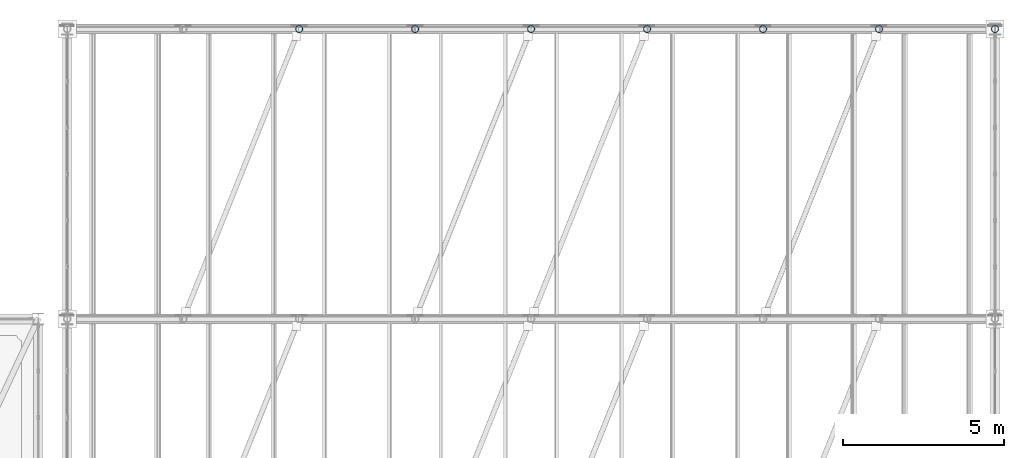
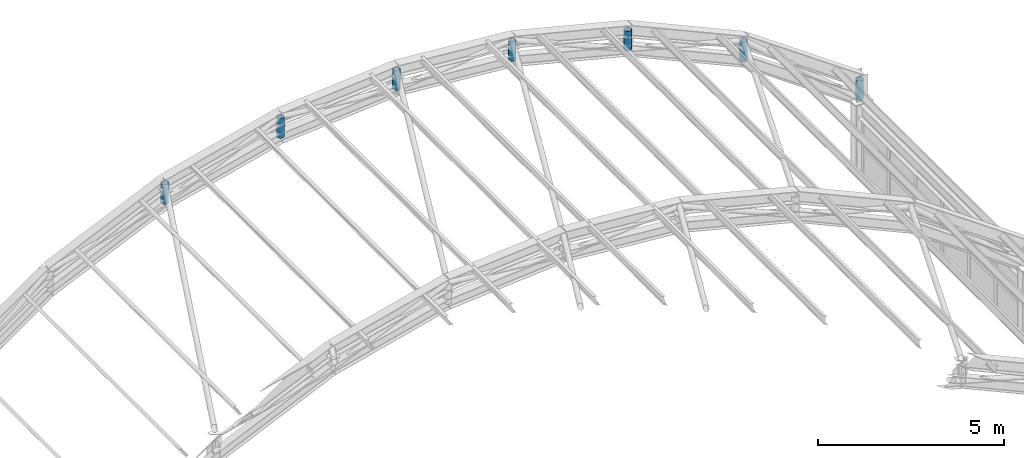
# One storey, part 95 of 121: 7 members.
"""IFC4 building model written with IfcOpenShell, lengths in metres."""

import ifcopenshell
import ifcopenshell.guid

model = None  # the IFC model being written
_history = None  # IfcOwnerHistory: only IFC2X3 demands one
_inside = {}  # id of a spatial element -> (the spatial element, [elements in it])
_under = {}  # id of a project, library or spatial element -> (it, [spatial elements below it])
_declared = {}  # id of a project -> (the project, [libraries it declares])
_typed = {}  # id of a type object -> (the type object, [elements of that type])
_made_of = {}  # id of a material, layer set ... -> (it, [elements and type objects made of it])


def new_model(schema):
    """Start an empty IFC model of exactly this schema.

    Asked for "IFC4X3", IfcOpenShell would pick the latest addendum, in which some entities
    have other attributes; the version numbers below select the first issue.
    IFC2X3 requires an IfcOwnerHistory on every rooted entity: one is made here for all.
    """
    global model, _history
    if schema == "IFC4X3":
        model = ifcopenshell.file(schema_version=(4, 3, 0, 0))
    else:
        model = ifcopenshell.file(schema=schema)
    _inside.clear()
    _under.clear()
    _declared.clear()
    _typed.clear()
    _made_of.clear()
    _history = None
    if model.schema == "IFC2X3":
        org = make("IfcOrganization", Name="unknown")
        user = make(
            "IfcPersonAndOrganization",
            ThePerson=make("IfcPerson", FamilyName="unknown"),
            TheOrganization=org,
        )
        app = make(
            "IfcApplication",
            ApplicationDeveloper=org,
            Version="unknown",
            ApplicationFullName="unknown",
            ApplicationIdentifier="unknown",
        )
        _history = make(
            "IfcOwnerHistory",
            OwningUser=user,
            OwningApplication=app,
            ChangeAction="ADDED",
            CreationDate=0,
        )
    return model


def make(cls, **values):
    """One entity of the class cls with the attributes given. An attribute that is None is left unset."""
    return model.create_entity(
        cls, **{name: value for name, value in values.items() if value is not None}
    )


def rooted(cls, **values):
    """An entity with a GlobalId (a new one), such as an element, a storey or a relation."""
    return make(cls, GlobalId=ifcopenshell.guid.new(), OwnerHistory=_history, **values)


def si_unit(unit_type, name, prefix=None):
    """IfcSIUnit, for example si_unit("LENGTHUNIT", "METRE", prefix="MILLI")."""
    return make("IfcSIUnit", UnitType=unit_type, Prefix=prefix, Name=name)


def assignment(units):
    """IfcUnitAssignment: the units of a project."""
    return None if units is None else make("IfcUnitAssignment", Units=units)


def point(xyz):
    """IfcCartesianPoint."""
    return None if xyz is None else make("IfcCartesianPoint", Coordinates=xyz)


def direction(xyz):
    """IfcDirection."""
    return None if xyz is None else make("IfcDirection", DirectionRatios=xyz)


def frame(location, z_axis=None, x_axis=None):
    """IfcAxis2Placement3D, a coordinate frame: its origin and axes. An axis left out is left unset."""
    return make(
        "IfcAxis2Placement3D",
        Location=point(location),
        Axis=direction(z_axis),
        RefDirection=direction(x_axis),
    )


def frame_2d(location, x_axis=None):
    """IfcAxis2Placement2D, a coordinate frame in the plane: its origin and x axis."""
    return make(
        "IfcAxis2Placement2D", Location=point(location), RefDirection=direction(x_axis)
    )


def origin():
    """The frame at (0, 0, 0) with its axes left unset."""
    return frame((0.0, 0.0, 0.0))


def origin_2d():
    """The frame at (0, 0) in the plane with its x axis left unset."""
    return frame_2d((0.0, 0.0))


def place(relative_to, where):
    """IfcLocalPlacement: puts the frame where relative to a parent placement (None: the world)."""
    return make(
        "IfcLocalPlacement", PlacementRelTo=relative_to, RelativePlacement=where
    )


def context(
    kind, dimensions, precision=None, world=None, true_north=None, identifier=None
):
    """IfcGeometricRepresentationContext, for example the 3D "Model" context."""
    return make(
        "IfcGeometricRepresentationContext",
        ContextIdentifier=identifier,
        ContextType=kind,
        CoordinateSpaceDimension=dimensions,
        Precision=precision,
        WorldCoordinateSystem=world,
        TrueNorth=true_north,
    )


def subcontext(parent, identifier, kind, view, scale=None):
    """IfcGeometricRepresentationSubContext, for example "Body" below "Model"."""
    return make(
        "IfcGeometricRepresentationSubContext",
        ContextIdentifier=identifier,
        ContextType=kind,
        ParentContext=parent,
        TargetScale=scale,
        TargetView=view,
    )


def project(units=None, contexts=None):
    """IfcProject with its units and contexts."""
    return rooted(
        "IfcProject",
        Name="project",
        RepresentationContexts=contexts,
        UnitsInContext=assignment(units),
    )


def spatial(cls, under=None, at=None, **own):
    """A site, building, storey or space (cls), placed at a placement, below another one or the project."""
    s = rooted(cls, ObjectPlacement=at, **own)
    if under is not None:
        _under.setdefault(under.id(), (under, []))[1].append(s)
    return s


def profile(cls, at=None, kind="AREA", **sizes):
    """A parametric profile (cls). Its sizes go by their IFC names, for example OverallWidth=200.0."""
    return make(cls, ProfileType=kind, Position=at, **sizes)


def hollow_circle(**sizes):
    """IfcCircleHollowProfileDef."""
    return profile("IfcCircleHollowProfileDef", **sizes)


def extrude(swept, where, along, depth):
    """IfcExtrudedAreaSolid: the profile swept, set in the frame where, extruded along a direction by depth."""
    return make(
        "IfcExtrudedAreaSolid",
        SweptArea=swept,
        Position=where,
        ExtrudedDirection=direction(along),
        Depth=depth,
    )


def shape(context_of_items, identifier, shape_type, items):
    """IfcShapeRepresentation: the items that make up one representation, for example the "Body"."""
    return make(
        "IfcShapeRepresentation",
        ContextOfItems=context_of_items,
        RepresentationIdentifier=identifier,
        RepresentationType=shape_type,
        Items=items,
    )


def material(Name=None, Category=None):
    """IfcMaterial."""
    return make("IfcMaterial", Name=Name, Category=Category)


def material_profile(
    of_material, cross_section, Name=None, Category=None, Priority=None
):
    """IfcMaterialProfile: a cross section and its material."""
    return make(
        "IfcMaterialProfile",
        Name=Name,
        Material=of_material,
        Profile=cross_section,
        Priority=Priority,
        Category=Category,
    )


def profile_set(profiles, Name=None, composite=None):
    """IfcMaterialProfileSet."""
    return make(
        "IfcMaterialProfileSet",
        Name=Name,
        MaterialProfiles=profiles,
        CompositeProfile=composite,
    )


def made_of(thing, what):
    """Note that an element or type object is made of a material, layer set ...; save() writes the relation."""
    if what is not None:
        _made_of.setdefault(what.id(), (what, []))[1].append(thing)
    return thing


def type_object(cls, material=None, **own):
    """A type object (cls), such as IfcWallType, which elements share."""
    return made_of(rooted(cls, **own), material)


def element(
    cls,
    number,
    at=None,
    inside=None,
    cuts=None,
    type_object=None,
    material=None,
    context=None,
    identifier="Body",
    shape_type=None,
    held_by="IfcProductDefinitionShape",
    body=None,
    shapes=None,
    **own,
):
    """One element of the class cls, such as IfcWall. Its Tag is "e" and its number.

    at: its placement. inside: the storey or other place that contains it. cuts: it is an
    opening in that element (IfcRelVoidsElement). A single representation is given by context,
    identifier, shape_type and body (its items); several are given by shapes. held_by: the class
    of the entity that holds the representations. save() writes the other relations.
    """
    e = rooted(cls, Tag="e%d" % number, ObjectPlacement=at, **own)
    if body is not None:
        shapes = [shape(context, identifier, shape_type, body)]
    if shapes is not None:
        e.Representation = make(held_by, Representations=shapes)
    if inside is not None:
        _inside.setdefault(inside.id(), (inside, []))[1].append(e)
    if cuts is not None:
        rooted(
            "IfcRelVoidsElement", RelatingBuildingElement=cuts, RelatedOpeningElement=e
        )
    if type_object is not None:
        _typed.setdefault(type_object.id(), (type_object, []))[1].append(e)
    return made_of(e, material)


def aggregate(whole, parts):
    """IfcRelAggregates: a whole, such as a stair, and the parts it consists of."""
    return rooted("IfcRelAggregates", RelatingObject=whole, RelatedObjects=parts)


def save(model, path):
    """Write the relations noted so far, then the file.

    IfcRelAggregates (storeys below a building ...), IfcRelContainedInSpatialStructure (elements
    in a storey), IfcRelDefinesByType, IfcRelAssociatesMaterial and IfcRelDeclares: one each for
    every whole, place, type object, material and project.
    """
    for whole, parts in _under.values():
        aggregate(whole, parts)
    for where, things in _inside.values():
        rooted(
            "IfcRelContainedInSpatialStructure",
            RelatedElements=things,
            RelatingStructure=where,
        )
    for kind, things in _typed.values():
        rooted("IfcRelDefinesByType", RelatedObjects=things, RelatingType=kind)
    for what, things in _made_of.values():
        rooted("IfcRelAssociatesMaterial", RelatedObjects=things, RelatingMaterial=what)
    for by, libraries in _declared.values():
        rooted("IfcRelDeclares", RelatingContext=by, RelatedDefinitions=libraries)
    model.write(path)


model = new_model("IFC4")

# Units and contexts
model_context = context("Model", 3, precision=1e-05, world=origin(), true_north=direction((0.0, 1.0)))
body_context = subcontext(model_context, "Body", "Model", "MODEL_VIEW")
ifc_project = project(units=[si_unit("LENGTHUNIT", "METRE"), si_unit("AREAUNIT", "SQUARE_METRE"), si_unit("VOLUMEUNIT", "CUBIC_METRE"), si_unit("PLANEANGLEUNIT", "RADIAN"), si_unit("MASSUNIT", "GRAM", prefix="KILO")], contexts=[model_context])

# Site, building, storey
site_placement = place(None, origin())
site = spatial("IfcSite", under=ifc_project, at=site_placement, CompositionType="ELEMENT")
building_placement = place(site_placement, origin())
building = spatial("IfcBuilding", under=site, at=building_placement, Name="Canglan Escarpment Cableway Terminal", CompositionType="ELEMENT")
storey_placement = place(building_placement, frame((0.0, 0.0, 24.60009765625)))
storey = spatial("IfcBuildingStorey", under=building, at=storey_placement, Name="L05", CompositionType="ELEMENT", Elevation=24.60009765625)

# Members
ifc_material = material(Name="Steel Q355B", Category="steel")
ifc_material_profile = material_profile(ifc_material, hollow_circle(Radius=0.109619140625, WallThickness=0.008056640625, at=origin_2d()), Name="CHS 219.1x8")
ifc_profile_set = profile_set([ifc_material_profile], Name="Steel Q355B")
member_type = type_object("IfcMemberType", Name="MB-ARCH-WEB-CHS219", PredefinedType="BRACE", material=ifc_profile_set)
for number, where, z_axis, x_axis, name in (
    (1, (144.800048828125, 124.0, 6.58837890625), (0.0, 0.0, 1.0), (1.0, 0.0, 0.0), "Vault ROOF TRUSS vertical strut AR-WB1"),
    (2, (148.39990234375, 124.0, 7.50341796875), (0.0, 0.0, 1.0), (1.0, 0.0, 0.0), "Vault ROOF TRUSS vertical strut AR-WB1"),
):
    element("IfcMember", number, at=place(storey_placement, frame(where, z_axis=z_axis, x_axis=x_axis)), inside=storey, type_object=member_type, Name=name, PredefinedType="BRACE", context=body_context, shape_type="SweptSolid", body=[
        extrude(hollow_circle(Radius=0.109619140625, WallThickness=0.008056640625, at=origin_2d()), origin(), (0.0, 0.0, 1.0), 0.64990234375),
    ])
member_1_placement = place(storey_placement, frame((152.0, 124.0, 7.7998046875), z_axis=(0.0, 0.0, 1.0), x_axis=(1.0, 0.0, 0.0)))
element("IfcMember", 3, at=member_1_placement, inside=storey, type_object=member_type, Name="Vault ROOF TRUSS vertical strut AR-WB1", PredefinedType="BRACE", context=body_context, shape_type="SweptSolid", body=[
    extrude(hollow_circle(Radius=0.109619140625, WallThickness=0.008056640625, at=origin_2d()), origin(), (0.0, 0.0, 1.0), 0.650146484375),
])
for number, where, z_axis, x_axis, name in (
    (4, (155.60009765625, 124.0, 7.50341796875), (0.0, 0.0, 1.0), (1.0, 0.0, 0.0), "Vault ROOF TRUSS vertical strut AR-WB1"),
    (5, (159.199951171875, 124.0, 6.58837890625), (0.0, 0.0, 1.0), (1.0, 0.0, 0.0), "Vault ROOF TRUSS vertical strut AR-WB1"),
    (6, (162.800048828125, 124.0, 4.966552734375), (0.0, 0.0, 1.0), (1.0, 0.0, 0.0), "Vault ROOF TRUSS vertical strut AR-WB1"),
):
    element("IfcMember", number, at=place(storey_placement, frame(where, z_axis=z_axis, x_axis=x_axis)), inside=storey, type_object=member_type, Name=name, PredefinedType="BRACE", context=body_context, shape_type="SweptSolid", body=[
        extrude(hollow_circle(Radius=0.109619140625, WallThickness=0.008056640625, at=origin_2d()), origin(), (0.0, 0.0, 1.0), 0.64990234375),
    ])
member_2_placement = place(storey_placement, frame((166.39990234375, 124.0, 2.432373046875), z_axis=(0.0, 0.0, 1.0), x_axis=(1.0, 0.0, 0.0)))
element("IfcMember", 7, at=member_2_placement, inside=storey, type_object=member_type, Name="Vault ROOF TRUSS springing strut AR-WB1", PredefinedType="BRACE", context=body_context, shape_type="SweptSolid", body=[
    extrude(hollow_circle(Radius=0.109619140625, WallThickness=0.008056640625, at=origin_2d()), origin(), (0.0, 0.0, 1.0), 0.650146484375),
])

save(model, "model.ifc")
